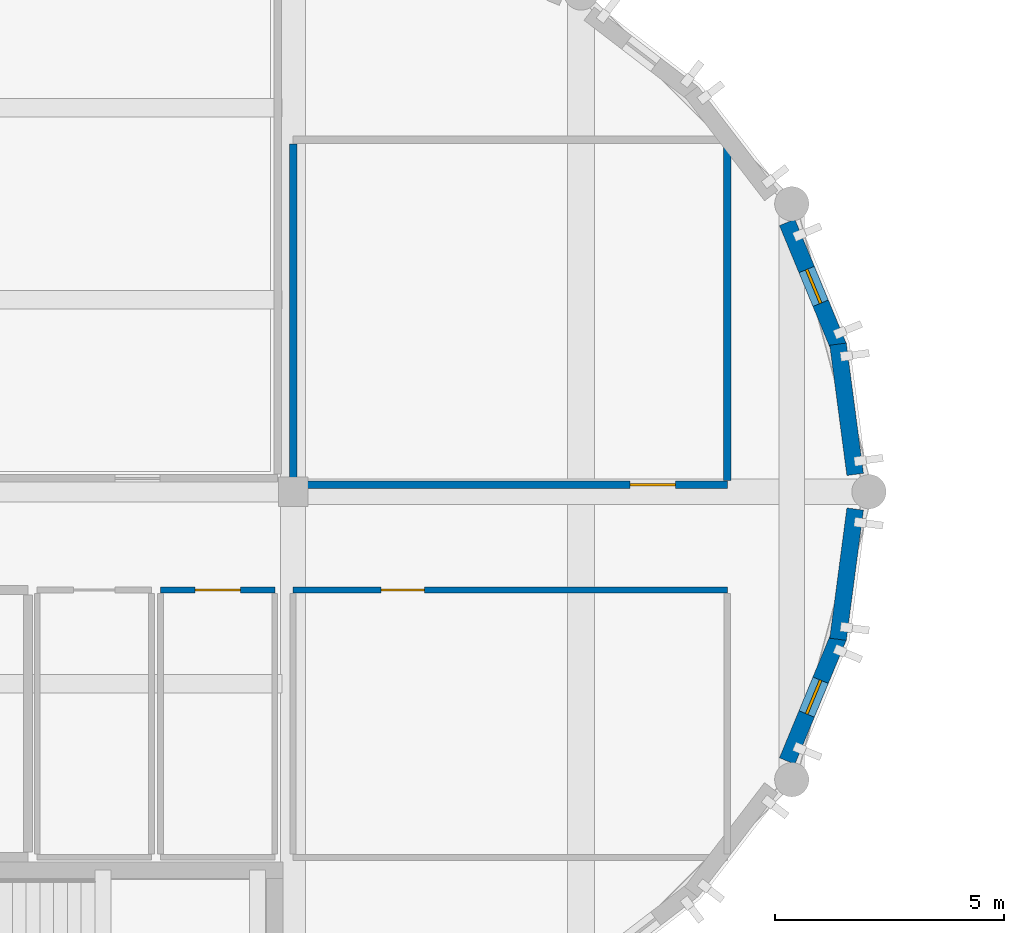
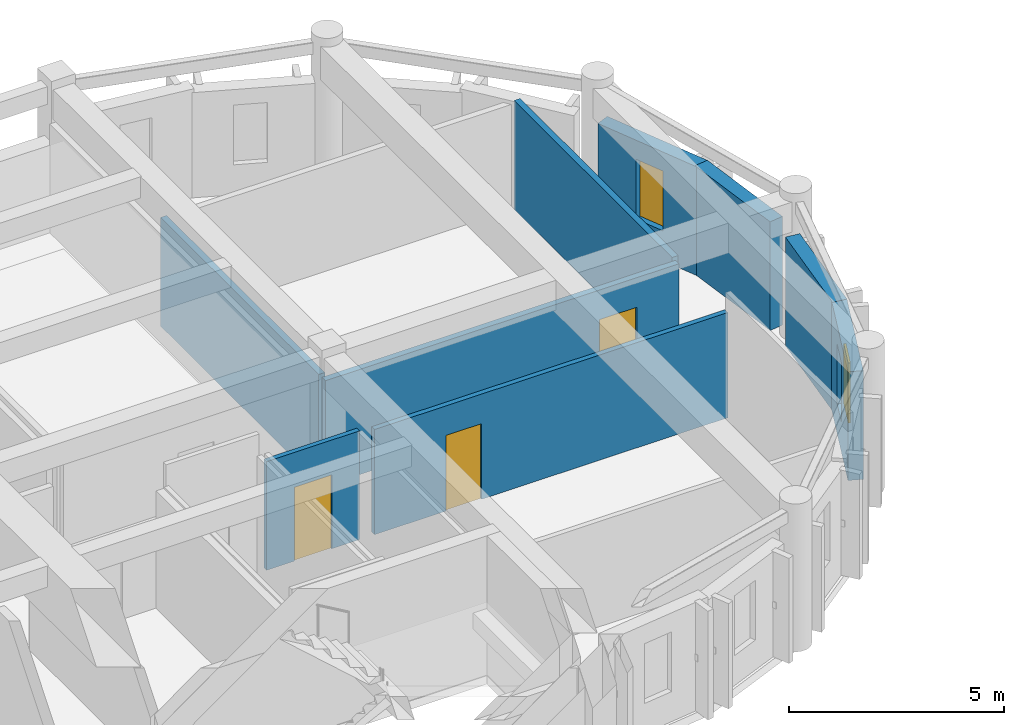
# One storey, part 16 of 31: 9 walls, 3 doors, 2 windows, 5 openings.
"""IFC4 building model written with IfcOpenShell, lengths in metres."""

from ifc_helpers import new_model, si_unit, direction, frame, frame_2d, origin, place, context, subcontext, project, spatial, rectangle, extrude, material, layer, layer_set, type_object, element, fill, save


model = new_model("IFC4")

# Units and contexts
model_context = context("Model", 3, precision=1e-05, world=origin(), true_north=direction((0.0, 1.0)))
body_context = subcontext(model_context, "Body", "Model", "MODEL_VIEW")
ifc_project = project(units=[si_unit("LENGTHUNIT", "METRE"), si_unit("AREAUNIT", "SQUARE_METRE"), si_unit("VOLUMEUNIT", "CUBIC_METRE"), si_unit("PLANEANGLEUNIT", "RADIAN"), si_unit("MASSUNIT", "GRAM", prefix="KILO")], contexts=[model_context])

# Site, building, storey
site_placement = place(None, origin())
site = spatial("IfcSite", under=ifc_project, at=site_placement, CompositionType="ELEMENT")
building_placement = place(site_placement, origin())
building = spatial("IfcBuilding", under=site, at=building_placement, Name="Tarnavel Promenade Courthouse", CompositionType="ELEMENT")
storey_placement = place(building_placement, frame((0.0, 0.0, 18.60009765625)))
storey = spatial("IfcBuildingStorey", under=building, at=storey_placement, Name="L05", CompositionType="ELEMENT", Elevation=18.60009765625)

# Wall, opening, door
ifc_material_1 = material(Name="Acoustic Insulated Gypsum Stud Partition", Category="gypsum")
ifc_layer_1 = layer(ifc_material_1, 0.1650390625)
ifc_layer_set_1 = layer_set([ifc_layer_1], Name="Acoustic Insulated Gypsum Stud Partition")
wall_type_1 = type_object("IfcWallType", Name="Acoustic Insulated Gypsum Stud Partition WL-CHM-165 (165 mm)", PredefinedType="PARTITIONING", material=ifc_layer_set_1)
wall_1_placement = place(storey_placement, frame((111.5, 91.949951171875, 0.0), z_axis=(0.0, 0.0, 1.0), x_axis=(-1.0, 0.0, 0.0)))
wall_1 = element("IfcWall", 1, at=wall_1_placement, inside=storey, type_object=wall_type_1, Name="L05 L05 East Drum Rotunda Jury North Partition 0744", PredefinedType="PARTITIONING", context=body_context, shape_type="SweptSolid", body=[
    extrude(rectangle(XDim=9.5, YDim=0.1650390625, at=frame_2d((4.75, 0.0))), origin(), (0.0, 0.0, 1.0), 2.989990234375),
])
opening_1_placement = place(wall_1_placement, frame((1.1298828125, 0.0, 0.0)))
opening_1 = element("IfcOpeningElement", 2, at=opening_1_placement, cuts=wall_1, Name="Opening ID-03", PredefinedType="OPENING", context=body_context, shape_type="SweptSolid", body=[
    extrude(rectangle(XDim=1.0, YDim=2.14990234375, at=frame_2d((0.5, 1.074951171875))), frame((0.0, 0.092529296875, 0.0), z_axis=(0.0, -1.0, 0.0), x_axis=(1.0, 0.0, 0.0)), (0.0, 0.0, 1.0), 0.18505859375),
])
ifc_material_2 = material(Name="Acoustic Solid-Core Oak Jury Room Door")
door_type_1 = type_object("IfcDoorType", Name="Acoustic Solid-Core Oak Jury Room Door (DR-JRY-1000x2150)", OperationType="NOTDEFINED", PredefinedType="DOOR", material=ifc_material_2)
door_1_placement = place(opening_1_placement, origin())
door_1 = element("IfcDoor", 3, at=door_1_placement, inside=storey, type_object=door_type_1, Name="L05 L05 East Drum Rotunda Jury North Door 0213", OperationType="SINGLE_SWING_RIGHT", OverallHeight=2.14990234375, OverallWidth=1.0, PredefinedType="DOOR", context=body_context, shape_type="SweptSolid", body=[
    extrude(rectangle(XDim=1.0, YDim=2.14990234375, at=frame_2d((0.5, 1.074951171875))), frame((0.0, 0.02490234375, 0.0), z_axis=(0.0, -1.0, 0.0), x_axis=(1.0, 0.0, 0.0)), (0.0, 0.0, 1.0), 0.050048828125),
])
fill(opening_1, door_1)

# Walls
for number, where, z_axis, x_axis, name in (
    (4, (102.0, 92.04248046875, 0.0), (0.0, 0.0, 1.0), (0.0, 1.0, 0.0), "L05 L05 East Drum Rotunda Jury North Partition 0745"),
    (5, (111.5, 99.407470703125, 0.0), (0.0, 0.0, 1.0), (0.0, -1.0, 0.0), "L05 L05 East Drum Rotunda Jury North Partition 0746"),
):
    element("IfcWall", number, at=place(storey_placement, frame(where, z_axis=z_axis, x_axis=x_axis)), inside=storey, type_object=wall_type_1, Name=name, PredefinedType="PARTITIONING", context=body_context, shape_type="SweptSolid", body=[
        extrude(rectangle(XDim=7.364990234375, YDim=0.1650390625, at=frame_2d((3.6826171875, 0.0))), origin(), (0.0, 0.0, 1.0), 3.08984375),
    ])

# Wall, opening, door
ifc_material_3 = material(Name="Metal-Stud Acoustic Gypsum Partition", Category="gypsum")
ifc_layer_2 = layer(ifc_material_3, 0.135009765625)
ifc_layer_set_2 = layer_set([ifc_layer_2], Name="Metal-Stud Acoustic Gypsum Partition")
wall_type_2 = type_object("IfcWallType", Name="Metal-Stud Acoustic Gypsum Partition WL-OFF-135 (135 mm)", PredefinedType="PARTITIONING", material=ifc_layer_set_2)
wall_2_placement = place(storey_placement, frame((102.0, 89.64990234375, 0.0), z_axis=(0.0, 0.0, 1.0), x_axis=(1.0, 0.0, 0.0)))
wall_2 = element("IfcWall", 6, at=wall_2_placement, inside=storey, type_object=wall_type_2, Name="L05 L05 East Drum Collegium Reference Room Partition 0747", PredefinedType="PARTITIONING", context=body_context, shape_type="SweptSolid", body=[
    extrude(rectangle(XDim=9.5, YDim=0.135009765625, at=frame_2d((4.75, 0.0))), origin(), (0.0, 0.0, 1.0), 2.989990234375),
])
opening_2_placement = place(wall_2_placement, frame((1.919921875, 0.0, 0.0)))
opening_2 = element("IfcOpeningElement", 7, at=opening_2_placement, cuts=wall_2, Name="Opening ID-06", PredefinedType="OPENING", context=body_context, shape_type="SweptSolid", body=[
    extrude(rectangle(XDim=0.949951171875, YDim=2.14990234375, at=frame_2d((0.47509765625, 1.074951171875))), frame((0.0, 0.077392578125, 0.0), z_axis=(0.0, -1.0, 0.0), x_axis=(1.0, 0.0, 0.0)), (0.0, 0.0, 1.0), 0.155029296875),
])
ifc_material_4 = material(Name="Acoustic Timber Veneer Office Door", Category="wood")
door_type_2 = type_object("IfcDoorType", Name="Acoustic Timber Veneer Office Door (DR-OFF-0950x2150)", OperationType="NOTDEFINED", PredefinedType="DOOR", material=ifc_material_4)
door_2_placement = place(opening_2_placement, origin())
door_2 = element("IfcDoor", 8, at=door_2_placement, inside=storey, type_object=door_type_2, Name="L05 L05 East Drum Collegium Reference Room Door 0214", OperationType="SINGLE_SWING_LEFT", OverallHeight=2.14990234375, OverallWidth=0.949951171875, PredefinedType="DOOR", context=body_context, shape_type="SweptSolid", body=[
    extrude(rectangle(XDim=0.949951171875, YDim=2.14990234375, at=frame_2d((0.47509765625, 1.074951171875))), frame((0.0, 0.02490234375, 0.0), z_axis=(0.0, -1.0, 0.0), x_axis=(1.0, 0.0, 0.0)), (0.0, 0.0, 1.0), 0.050048828125),
])
fill(opening_2, door_2)

ifc_material_5 = material(Name="Moisture-Resistant Tile-Backed Stud Partition", Category="gypsum")
ifc_layer_3 = layer(ifc_material_5, 0.125)
ifc_layer_set_3 = layer_set([ifc_layer_3], Name="Moisture-Resistant Tile-Backed Stud Partition")
wall_type_3 = type_object("IfcWallType", Name="Moisture-Resistant Tile-Backed Stud Partition WL-WET-125 (125 mm)", PredefinedType="PARTITIONING", material=ifc_layer_set_3)
wall_3_placement = place(storey_placement, frame((99.10009765625, 89.64990234375, 0.0), z_axis=(0.0, 0.0, 1.0), x_axis=(1.0, 0.0, 0.0)))
wall_3 = element("IfcWall", 9, at=wall_3_placement, inside=storey, type_object=wall_type_3, Name="L05 Accessible Staff WC Partition 0674", PredefinedType="PARTITIONING", context=body_context, shape_type="SweptSolid", body=[
    extrude(rectangle(XDim=2.5, YDim=0.125, at=frame_2d((1.25, 0.0))), origin(), (0.0, 0.0, 1.0), 3.08984375),
])
opening_3_placement = place(wall_3_placement, frame((0.75, 0.0, 0.0)))
opening_3 = element("IfcOpeningElement", 10, at=opening_3_placement, cuts=wall_3, Name="Opening ID-09", PredefinedType="OPENING", context=body_context, shape_type="SweptSolid", body=[
    extrude(rectangle(XDim=1.0, YDim=2.10009765625, at=frame_2d((0.5, 1.050048828125))), frame((0.0, 0.072509765625, 0.0), z_axis=(0.0, -1.0, 0.0), x_axis=(1.0, 0.0, 0.0)), (0.0, 0.0, 1.0), 0.14501953125),
])
ifc_material_6 = material(Name="Wide Accessible Restroom Outward Door")
door_type_3 = type_object("IfcDoorType", Name="Wide Accessible Restroom Outward Door (DR-AWC-1000x2100)", OperationType="NOTDEFINED", PredefinedType="DOOR", material=ifc_material_6)
door_3_placement = place(opening_3_placement, origin())
door_3 = element("IfcDoor", 11, at=door_3_placement, inside=storey, type_object=door_type_3, Name="L05 Accessible Staff WC Door 0193", OperationType="SINGLE_SWING_LEFT", OverallHeight=2.10009765625, OverallWidth=1.0, PredefinedType="DOOR", context=body_context, shape_type="SweptSolid", body=[
    extrude(rectangle(XDim=1.0, YDim=2.10009765625, at=frame_2d((0.5, 1.050048828125))), frame((0.0, 0.02490234375, 0.0), z_axis=(0.0, -1.0, 0.0), x_axis=(1.0, 0.0, 0.0)), (0.0, 0.0, 1.0), 0.050048828125),
])
fill(opening_3, door_3)

# Wall, opening, window
ifc_material_7 = material(Name="Patinated Copper-Bronze Insulated Drum Wall Assembly", Category="masonry")
ifc_layer_4 = layer(ifc_material_7, 0.364990234375)
ifc_layer_set_4 = layer_set([ifc_layer_4], Name="Patinated Copper-Bronze Insulated Drum Wall Assembly")
wall_type_4 = type_object("IfcWallType", Name="Patinated Copper-Bronze Insulated Drum Wall Assembly WL-DRUM-365 (365 mm)", PredefinedType="ELEMENTEDWALL", material=ifc_layer_set_4)
wall_4_placement = place(storey_placement, frame((112.81005859375, 85.906982421875, 0.0), z_axis=(0.0, 0.0, 1.0), x_axis=(0.382641509163, 0.923896896556, 0.0)))
wall_4 = element("IfcWall", 12, at=wall_4_placement, inside=storey, type_object=wall_type_4, Name="L05 E Copper Drum Chord Wall 05 0130", PredefinedType="ELEMENTEDWALL", context=body_context, shape_type="SweptSolid", body=[
    extrude(rectangle(XDim=2.9521484375, YDim=0.364990234375, at=frame_2d((1.47607421875, 0.0))), origin(), (0.0, 0.0, 1.0), 3.08984375),
])
opening_4_placement = place(wall_4_placement, frame((1.114990234375, 0.0, 0.85009765625)))
opening_4 = element("IfcOpeningElement", 13, at=opening_4_placement, cuts=wall_4, Name="Opening W-09", PredefinedType="OPENING", context=body_context, shape_type="SweptSolid", body=[
    extrude(rectangle(XDim=0.800048828125, YDim=1.699951171875, at=frame_2d((0.39990234375, 0.85009765625))), frame((0.0, 0.1923828125, 0.0), z_axis=(0.0, -1.0, 0.0), x_axis=(1.0, 0.0, 0.0)), (0.0, 0.0, 1.0), 0.385009765625),
])
ifc_material_8 = material(Name="Triple Low-E Glazed Bronze-Clad Window Assembly")
window_type = type_object("IfcWindowType", Name="Triple-Glazed Bronze-Clad Timber-Aluminium WIN-DRM-0800x1700", PartitioningType="SINGLE_PANEL", PredefinedType="WINDOW", material=ifc_material_8)
window_1_placement = place(opening_4_placement, origin())
window_1 = element("IfcWindow", 14, at=window_1_placement, inside=storey, type_object=window_type, Name="L05 Exterior Window 0094", OverallHeight=1.699951171875, OverallWidth=0.800048828125, PartitioningType="SINGLE_PANEL", PredefinedType="WINDOW", context=body_context, shape_type="SweptSolid", body=[
    extrude(rectangle(XDim=0.800048828125, YDim=1.699951171875, at=frame_2d((0.39990234375, 0.85009765625))), frame((0.0, 0.030029296875, 0.0), z_axis=(0.0, -1.0, 0.0), x_axis=(1.0, 0.0, 0.0)), (0.0, 0.0, 1.0), 0.06005859375),
])
fill(opening_4, window_1)

# Walls
wall_5_placement = place(storey_placement, frame((113.9228515625, 88.571533203125, 0.0), z_axis=(0.0, 0.0, 1.0), x_axis=(0.130555586306, 0.991440991126, 0.0)))
element("IfcWall", 15, at=wall_5_placement, inside=storey, type_object=wall_type_4, Name="L05 E Copper Drum Chord Wall 06 0131", PredefinedType="ELEMENTEDWALL", context=body_context, shape_type="SweptSolid", body=[
    extrude(rectangle(XDim=2.874267578125, YDim=0.364990234375, at=frame_2d((1.43701171875, 0.0))), origin(), (0.0, 0.0, 1.0), 3.08984375),
])
wall_6_placement = place(storey_placement, frame((114.298095703125, 92.1787109375, 0.0), z_axis=(0.0, 0.0, 1.0), x_axis=(-0.13054459251, 0.991442438756, 0.0)))
element("IfcWall", 16, at=wall_6_placement, inside=storey, type_object=wall_type_4, Name="L05 E Copper Drum Chord Wall 07 0132", PredefinedType="ELEMENTEDWALL", context=body_context, shape_type="SweptSolid", body=[
    extrude(rectangle(XDim=2.87451171875, YDim=0.364990234375, at=frame_2d((1.437255859375, 0.0))), origin(), (0.0, 0.0, 1.0), 3.08984375),
])

# Wall, opening, window
wall_7_placement = place(storey_placement, frame((113.939697265625, 94.965576171875, 0.0), z_axis=(0.0, 0.0, 1.0), x_axis=(-0.382670746546, 0.923884787047, 0.0)))
wall_7 = element("IfcWall", 17, at=wall_7_placement, inside=storey, type_object=wall_type_4, Name="L05 E Copper Drum Chord Wall 08 0133", PredefinedType="ELEMENTEDWALL", context=body_context, shape_type="SweptSolid", body=[
    extrude(rectangle(XDim=2.951904296875, YDim=0.364990234375, at=frame_2d((1.47607421875, 0.0))), origin(), (0.0, 0.0, 1.0), 3.08984375),
])
opening_5_placement = place(wall_7_placement, frame((1.037109375, 0.0, 0.85009765625)))
opening_5 = element("IfcOpeningElement", 18, at=opening_5_placement, cuts=wall_7, Name="Opening W-09", PredefinedType="OPENING", context=body_context, shape_type="SweptSolid", body=[
    extrude(rectangle(XDim=0.800048828125, YDim=1.699951171875, at=frame_2d((0.39990234375, 0.85009765625))), frame((0.0, 0.1923828125, 0.0), z_axis=(0.0, -1.0, 0.0), x_axis=(1.0, 0.0, 0.0)), (0.0, 0.0, 1.0), 0.385009765625),
])
window_2_placement = place(opening_5_placement, origin())
window_2 = element("IfcWindow", 19, at=window_2_placement, inside=storey, type_object=window_type, Name="L05 Exterior Window 0095", OverallHeight=1.699951171875, OverallWidth=0.800048828125, PartitioningType="SINGLE_PANEL", PredefinedType="WINDOW", context=body_context, shape_type="SweptSolid", body=[
    extrude(rectangle(XDim=0.800048828125, YDim=1.699951171875, at=frame_2d((0.39990234375, 0.85009765625))), frame((0.0, 0.030029296875, 0.0), z_axis=(0.0, -1.0, 0.0), x_axis=(1.0, 0.0, 0.0)), (0.0, 0.0, 1.0), 0.06005859375),
])
fill(opening_5, window_2)

save(model, "model.ifc")
